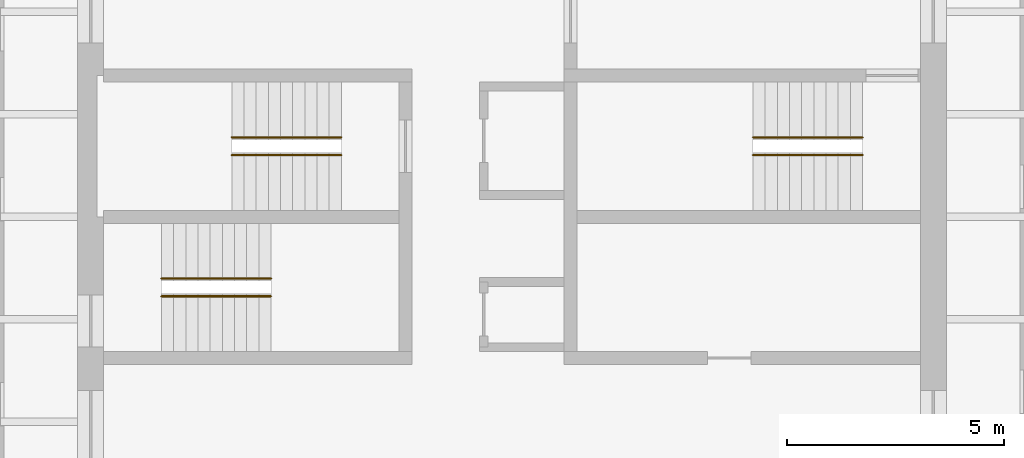
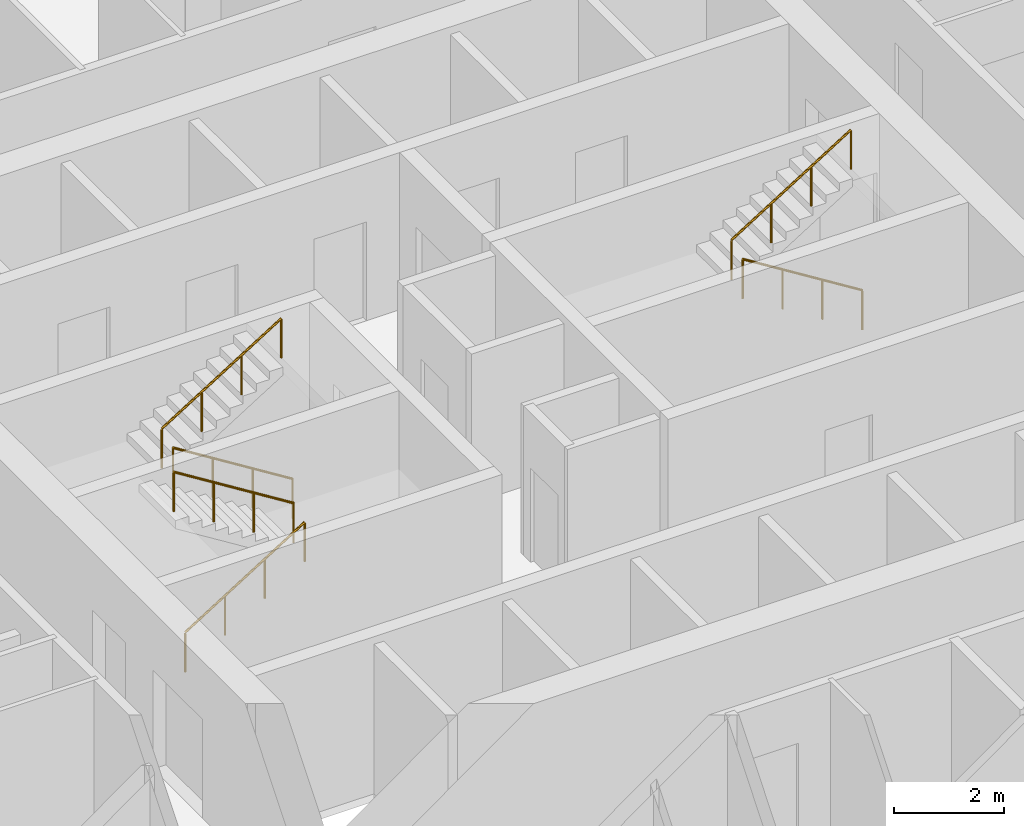
# One storey, part 10 of 10: 6 railings.
"""IFC4 building model written with IfcOpenShell, lengths in metres."""

from ifc_helpers import new_model, si_unit, direction, frame, origin, origin_2d, place, context, subcontext, project, spatial, circle, extrude, material, type_object, element, save


model = new_model("IFC4")

# Units and contexts
model_context = context("Model", 3, precision=1e-05, world=origin(), true_north=direction((0.0, 1.0)))
body_context = subcontext(model_context, "Body", "Model", "MODEL_VIEW")
ifc_project = project(units=[si_unit("LENGTHUNIT", "METRE"), si_unit("AREAUNIT", "SQUARE_METRE"), si_unit("VOLUMEUNIT", "CUBIC_METRE"), si_unit("PLANEANGLEUNIT", "RADIAN"), si_unit("MASSUNIT", "GRAM", prefix="KILO")], contexts=[model_context])

# Site, building, storey
site_placement = place(None, origin())
site = spatial("IfcSite", under=ifc_project, at=site_placement, CompositionType="ELEMENT")
building_placement = place(site_placement, origin())
building = spatial("IfcBuilding", under=site, at=building_placement, Name="Turquesa Mirador Hotel Tower", CompositionType="ELEMENT")
storey_placement = place(building_placement, frame((0.0, 0.0, 138.89990234375)))
storey = spatial("IfcBuildingStorey", under=building, at=storey_placement, Name="L37", CompositionType="ELEMENT", Elevation=138.89990234375)

# Railings
ifc_material = material(Name="Painted steel handrail", Category="steel")
railing_type = type_object("IfcRailingType", Name="HANDRAIL 900 STEEL", PredefinedType="HANDRAIL", material=ifc_material)
railing_1_placement = place(storey_placement, frame((51.070068359375, 46.419921875, 0.175048828125)))
element("IfcRailing", 1, at=railing_1_placement, inside=storey, type_object=railing_type, Name="Handrail ST1", PredefinedType="HANDRAIL", context=body_context, shape_type="SweptSolid", body=[
    extrude(circle(Radius=0.02392578125, at=origin_2d()), frame((0.0, 0.0, 0.8759765625), z_axis=(-0.848007534815, 0.0, 0.529984170421), x_axis=(0.0, -1.0, 0.0)), (0.0, 0.0, 1.0), 2.9716796875),
    extrude(circle(Radius=0.02099609375, at=origin_2d()), origin(), (0.0, 0.0, 1.0), 0.851806640625),
    extrude(circle(Radius=0.02099609375, at=origin_2d()), frame((-0.840087890625, 0.0, 0.52490234375)), (0.0, 0.0, 1.0), 0.851806640625),
    extrude(circle(Radius=0.02099609375, at=origin_2d()), frame((-1.679931640625, 0.0, 1.050048828125)), (0.0, 0.0, 1.0), 0.851806640625),
    extrude(circle(Radius=0.02099609375, at=origin_2d()), frame((-2.52001953125, 0.0, 1.574951171875)), (0.0, 0.0, 1.0), 0.851806640625),
])
for number, where, name in (
    (2, (48.550048828125, 46.830078125, 1.925048828125), "Handrail ST1"),
    (3, (46.929931640625, 43.169921875, 0.175048828125), "Handrail ST2"),
):
    element("IfcRailing", number, at=place(storey_placement, frame(where)), inside=storey, type_object=railing_type, Name=name, PredefinedType="HANDRAIL", context=body_context, shape_type="SweptSolid", body=[
        extrude(circle(Radius=0.02392578125, at=origin_2d()), frame((0.0, 0.0, 0.8759765625), z_axis=(0.848007534815, 0.0, 0.529984170421), x_axis=(0.0, 1.0, 0.0)), (0.0, 0.0, 1.0), 2.9716796875),
        extrude(circle(Radius=0.02099609375, at=origin_2d()), origin(), (0.0, 0.0, 1.0), 0.851806640625),
        extrude(circle(Radius=0.02099609375, at=origin_2d()), frame((0.840087890625, 0.0, 0.52490234375)), (0.0, 0.0, 1.0), 0.851806640625),
        extrude(circle(Radius=0.02099609375, at=origin_2d()), frame((1.679931640625, 0.0, 1.050048828125)), (0.0, 0.0, 1.0), 0.851806640625),
        extrude(circle(Radius=0.02099609375, at=origin_2d()), frame((2.52001953125, 0.0, 1.574951171875)), (0.0, 0.0, 1.0), 0.851806640625),
    ])
for number, where, name in (
    (4, (49.449951171875, 43.580078125, 1.925048828125), "Handrail ST2"),
    (5, (63.070068359375, 46.419921875, 0.175048828125), "Handrail ST3"),
):
    element("IfcRailing", number, at=place(storey_placement, frame(where)), inside=storey, type_object=railing_type, Name=name, PredefinedType="HANDRAIL", context=body_context, shape_type="SweptSolid", body=[
        extrude(circle(Radius=0.02392578125, at=origin_2d()), frame((0.0, 0.0, 0.8759765625), z_axis=(-0.848007534815, 0.0, 0.529984170421), x_axis=(0.0, -1.0, 0.0)), (0.0, 0.0, 1.0), 2.9716796875),
        extrude(circle(Radius=0.02099609375, at=origin_2d()), origin(), (0.0, 0.0, 1.0), 0.851806640625),
        extrude(circle(Radius=0.02099609375, at=origin_2d()), frame((-0.840087890625, 0.0, 0.52490234375)), (0.0, 0.0, 1.0), 0.851806640625),
        extrude(circle(Radius=0.02099609375, at=origin_2d()), frame((-1.679931640625, 0.0, 1.050048828125)), (0.0, 0.0, 1.0), 0.851806640625),
        extrude(circle(Radius=0.02099609375, at=origin_2d()), frame((-2.52001953125, 0.0, 1.574951171875)), (0.0, 0.0, 1.0), 0.851806640625),
    ])
railing_2_placement = place(storey_placement, frame((60.550048828125, 46.830078125, 1.925048828125)))
element("IfcRailing", 6, at=railing_2_placement, inside=storey, type_object=railing_type, Name="Handrail ST3", PredefinedType="HANDRAIL", context=body_context, shape_type="SweptSolid", body=[
    extrude(circle(Radius=0.02392578125, at=origin_2d()), frame((0.0, 0.0, 0.8759765625), z_axis=(0.848007534815, 0.0, 0.529984170421), x_axis=(0.0, 1.0, 0.0)), (0.0, 0.0, 1.0), 2.9716796875),
    extrude(circle(Radius=0.02099609375, at=origin_2d()), origin(), (0.0, 0.0, 1.0), 0.851806640625),
    extrude(circle(Radius=0.02099609375, at=origin_2d()), frame((0.840087890625, 0.0, 0.52490234375)), (0.0, 0.0, 1.0), 0.851806640625),
    extrude(circle(Radius=0.02099609375, at=origin_2d()), frame((1.679931640625, 0.0, 1.050048828125)), (0.0, 0.0, 1.0), 0.851806640625),
    extrude(circle(Radius=0.02099609375, at=origin_2d()), frame((2.52001953125, 0.0, 1.574951171875)), (0.0, 0.0, 1.0), 0.851806640625),
])

save(model, "model.ifc")
